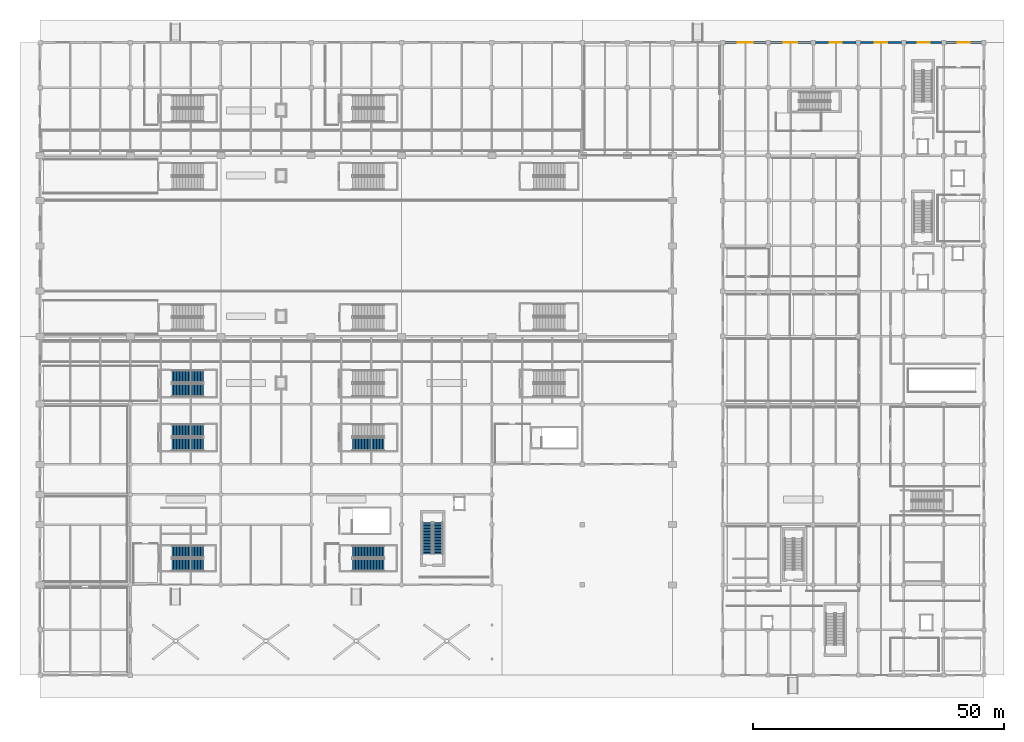
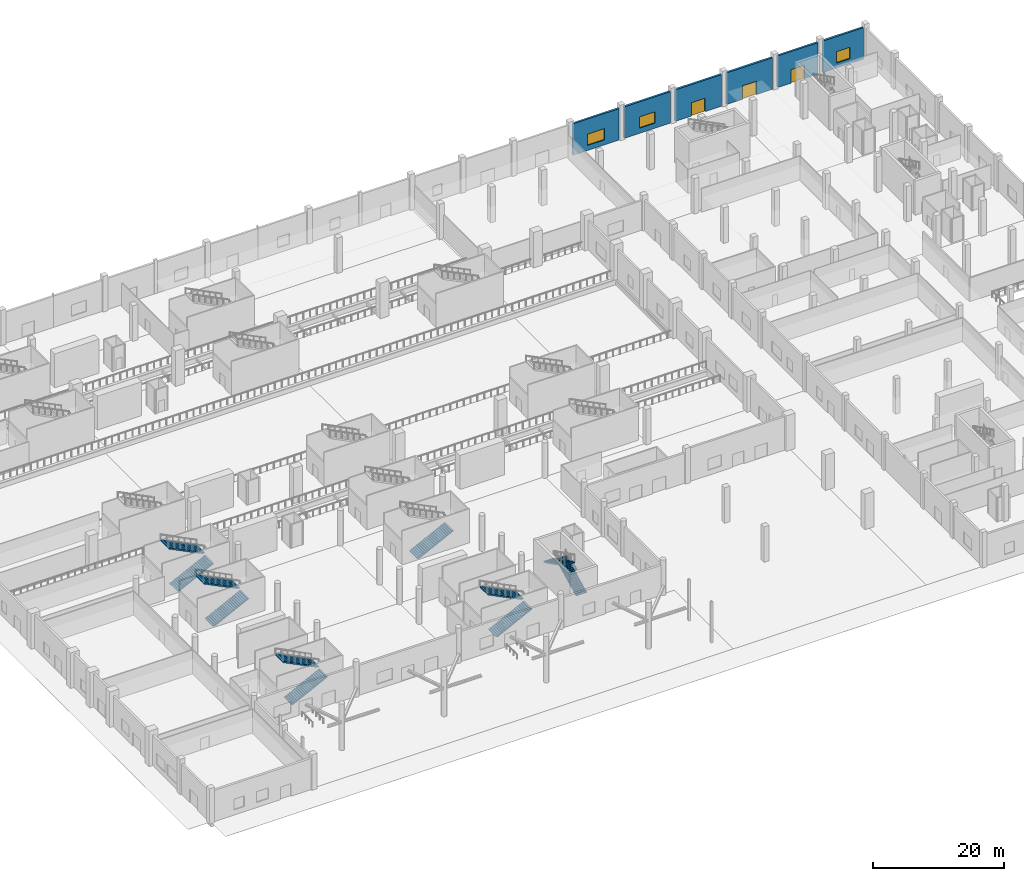
# One storey, part 29 of 65: 11 stair flights, 6 walls, 3 doors, 3 windows, 6 openings, 6 elements without a shape of their own.
"""IFC4 building model written with IfcOpenShell, lengths in metres."""

from ifc_helpers import new_model, si_unit, direction, frame, frame_2d, origin, place, context, subcontext, project, spatial, polyline, rectangle, outline, extrude, material, layer, layer_set, type_object, element, fill, aggregate, save


model = new_model("IFC4")

# Units and contexts
model_context = context("Model", 3, precision=1e-05, world=origin(), true_north=direction((0.0, 1.0)))
body_context = subcontext(model_context, "Body", "Model", "MODEL_VIEW")
ifc_project = project(units=[si_unit("LENGTHUNIT", "METRE"), si_unit("AREAUNIT", "SQUARE_METRE"), si_unit("VOLUMEUNIT", "CUBIC_METRE"), si_unit("PLANEANGLEUNIT", "RADIAN"), si_unit("MASSUNIT", "GRAM", prefix="KILO")], contexts=[model_context])

# Site, building, storey
site_placement = place(None, origin())
site = spatial("IfcSite", under=ifc_project, at=site_placement, CompositionType="ELEMENT")
building_placement = place(site_placement, origin())
building = spatial("IfcBuilding", under=site, at=building_placement, Name="Chuanluo Vaults Station", CompositionType="ELEMENT")
storey_placement = place(building_placement, origin())
storey = spatial("IfcBuildingStorey", under=building, at=storey_placement, Name="L00", CompositionType="ELEMENT", Elevation=0.0)

# Wall, opening, window
ifc_material_1 = material(Name="Concrete C50", Category="concrete")
ifc_layer = layer(ifc_material_1, 0.360107421875)
ifc_layer_set = layer_set([ifc_layer], Name="Concrete C50")
wall_type = type_object("IfcWallType", Name="WL-EXT-360", PredefinedType="SOLIDWALL", material=ifc_layer_set)
wall_1_placement = place(storey_placement, frame((136.449951171875, 126.0, 0.0), z_axis=(0.0, 0.0, 1.0), x_axis=(1.0, 0.0, 0.0)))
wall_1 = element("IfcWall", 1, at=wall_1_placement, inside=storey, type_object=wall_type, Name="Operations north streetwall 1", PredefinedType="SOLIDWALL", context=body_context, shape_type="SweptSolid", body=[
    extrude(rectangle(XDim=8.10009765625, YDim=0.360107421875, at=frame_2d((4.050048828125, 0.0))), origin(), (0.0, 0.0, 1.0), 5.85498046875),
])
opening_1_placement = place(wall_1_placement, frame((2.550048828125, 0.0, 0.949951171875)))
opening_1 = element("IfcOpeningElement", 2, at=opening_1_placement, cuts=wall_1, Name="Opening W-16", PredefinedType="OPENING", context=body_context, shape_type="SweptSolid", body=[
    extrude(rectangle(XDim=3.0, YDim=2.10009765625, at=frame_2d((1.5, 1.050048828125))), frame((0.0, 0.19018, 0.0), z_axis=(0.0, -1.0, 0.0), x_axis=(1.0, 0.0, 0.0)), (0.0, 0.0, 1.0), 0.38011),
])
ifc_material_2 = material(Name="Double-silver Low-E laminated glass", Category="glass")
window_type_1 = type_object("IfcWindowType", Name="WN-RET-3000x2100", PartitioningType="SINGLE_PANEL", PredefinedType="WINDOW", material=ifc_material_2)
window_1_placement = place(opening_1_placement, origin())
window_1 = element("IfcWindow", 3, at=window_1_placement, inside=storey, type_object=window_type_1, Name="W-061 Ground streetwall window", OverallHeight=2.10009765625, OverallWidth=3.0, PartitioningType="SINGLE_PANEL", PredefinedType="WINDOW", context=body_context, shape_type="SweptSolid", body=[
    extrude(rectangle(XDim=3.0, YDim=2.10009765625, at=frame_2d((1.5, 1.050048828125))), frame((0.0, 0.030029296875, 0.0), z_axis=(0.0, -1.0, 0.0), x_axis=(1.0, 0.0, 0.0)), (0.0, 0.0, 1.0), 0.06005859375),
])
fill(opening_1, window_1)

wall_2_placement = place(storey_placement, frame((145.449951171875, 126.0, 0.0), z_axis=(0.0, 0.0, 1.0), x_axis=(1.0, 0.0, 0.0)))
wall_2 = element("IfcWall", 4, at=wall_2_placement, inside=storey, type_object=wall_type, Name="Operations north streetwall 2", PredefinedType="SOLIDWALL", context=body_context, shape_type="SweptSolid", body=[
    extrude(rectangle(XDim=8.10009765625, YDim=0.360107421875, at=frame_2d((4.050048828125, 0.0))), origin(), (0.0, 0.0, 1.0), 5.85498046875),
])
opening_2_placement = place(wall_2_placement, frame((2.699951171875, 0.0, 0.949951171875)))
opening_2 = element("IfcOpeningElement", 5, at=opening_2_placement, cuts=wall_2, Name="Opening W-17", PredefinedType="OPENING", context=body_context, shape_type="SweptSolid", body=[
    extrude(rectangle(XDim=2.699951171875, YDim=2.10009765625, at=frame_2d((1.35009765625, 1.050048828125))), frame((0.0, 0.19018, 0.0), z_axis=(0.0, -1.0, 0.0), x_axis=(1.0, 0.0, 0.0)), (0.0, 0.0, 1.0), 0.38011),
])
ifc_material_3 = material(Name="Double-silver Low-E laminated glass", Category="glass")
window_type_2 = type_object("IfcWindowType", Name="WN-RET-2700x2100", PartitioningType="SINGLE_PANEL", PredefinedType="WINDOW", material=ifc_material_3)
window_2_placement = place(opening_2_placement, origin())
window_2 = element("IfcWindow", 6, at=window_2_placement, inside=storey, type_object=window_type_2, Name="W-062 Ground streetwall window", OverallHeight=2.10009765625, OverallWidth=2.699951171875, PartitioningType="SINGLE_PANEL", PredefinedType="WINDOW", context=body_context, shape_type="SweptSolid", body=[
    extrude(rectangle(XDim=2.699951171875, YDim=2.10009765625, at=frame_2d((1.35009765625, 1.050048828125))), frame((0.0, 0.030029296875, 0.0), z_axis=(0.0, -1.0, 0.0), x_axis=(1.0, 0.0, 0.0)), (0.0, 0.0, 1.0), 0.06005859375),
])
fill(opening_2, window_2)

# Wall, opening, door
wall_3_placement = place(storey_placement, frame((154.449951171875, 126.0, 0.0), z_axis=(0.0, 0.0, 1.0), x_axis=(1.0, 0.0, 0.0)))
wall_3 = element("IfcWall", 7, at=wall_3_placement, inside=storey, type_object=wall_type, Name="Operations north streetwall 3", PredefinedType="SOLIDWALL", context=body_context, shape_type="SweptSolid", body=[
    extrude(rectangle(XDim=8.10009765625, YDim=0.360107421875, at=frame_2d((4.050048828125, 0.0))), origin(), (0.0, 0.0, 1.0), 5.875),
])
opening_3_placement = place(wall_3_placement, frame((2.85009765625, 0.0, 0.0)))
opening_3 = element("IfcOpeningElement", 8, at=opening_3_placement, cuts=wall_3, Name="Opening D-E04", PredefinedType="OPENING", context=body_context, shape_type="SweptSolid", body=[
    extrude(rectangle(XDim=2.39990234375, YDim=2.5, at=frame_2d((1.199951171875, 1.25))), frame((0.0, 0.19018, 0.0), z_axis=(0.0, -1.0, 0.0), x_axis=(1.0, 0.0, 0.0)), (0.0, 0.0, 1.0), 0.38011),
])
ifc_material_4 = material(Name="Anodised aluminium 6063-T6", Category="aluminium")
door_type = type_object("IfcDoorType", Name="DR-EXT-2400x2500", OperationType="NOTDEFINED", PredefinedType="DOOR", material=ifc_material_4)
door_1_placement = place(opening_3_placement, origin())
door_1 = element("IfcDoor", 9, at=door_1_placement, inside=storey, type_object=door_type, Name="D-044 Operations north streetwall 3 exit door", OperationType="SINGLE_SWING_LEFT", OverallHeight=2.5, OverallWidth=2.39990234375, PredefinedType="DOOR", context=body_context, shape_type="SweptSolid", body=[
    extrude(rectangle(XDim=2.39990234375, YDim=2.5, at=frame_2d((1.199951171875, 1.25))), frame((0.0, 0.02490234375, 0.0), z_axis=(0.0, -1.0, 0.0), x_axis=(1.0, 0.0, 0.0)), (0.0, 0.0, 1.0), 0.050048828125),
])
fill(opening_3, door_1)

wall_4_placement = place(storey_placement, frame((163.449951171875, 126.0, 0.0), z_axis=(0.0, 0.0, 1.0), x_axis=(1.0, 0.0, 0.0)))
wall_4 = element("IfcWall", 10, at=wall_4_placement, inside=storey, type_object=wall_type, Name="Operations north streetwall 4", PredefinedType="SOLIDWALL", context=body_context, shape_type="SweptSolid", body=[
    extrude(rectangle(XDim=8.10009765625, YDim=0.360107421875, at=frame_2d((4.050048828125, 0.0))), origin(), (0.0, 0.0, 1.0), 5.875),
])
opening_4_placement = place(wall_4_placement, frame((2.85009765625, 0.0, 0.0)))
opening_4 = element("IfcOpeningElement", 11, at=opening_4_placement, cuts=wall_4, Name="Opening D-E04", PredefinedType="OPENING", context=body_context, shape_type="SweptSolid", body=[
    extrude(rectangle(XDim=2.39990234375, YDim=2.5, at=frame_2d((1.199951171875, 1.25))), frame((0.0, 0.19018, 0.0), z_axis=(0.0, -1.0, 0.0), x_axis=(1.0, 0.0, 0.0)), (0.0, 0.0, 1.0), 0.38011),
])
door_2_placement = place(opening_4_placement, origin())
door_2 = element("IfcDoor", 12, at=door_2_placement, inside=storey, type_object=door_type, Name="D-045 Operations north streetwall 4 exit door", OperationType="SINGLE_SWING_RIGHT", OverallHeight=2.5, OverallWidth=2.39990234375, PredefinedType="DOOR", context=body_context, shape_type="SweptSolid", body=[
    extrude(rectangle(XDim=2.39990234375, YDim=2.5, at=frame_2d((1.199951171875, 1.25))), frame((0.0, 0.02490234375, 0.0), z_axis=(0.0, -1.0, 0.0), x_axis=(1.0, 0.0, 0.0)), (0.0, 0.0, 1.0), 0.050048828125),
])
fill(opening_4, door_2)

wall_5_placement = place(storey_placement, frame((172.449951171875, 126.0, 0.0), z_axis=(0.0, 0.0, 1.0), x_axis=(1.0, 0.0, 0.0)))
wall_5 = element("IfcWall", 13, at=wall_5_placement, inside=storey, type_object=wall_type, Name="Operations north streetwall 5", PredefinedType="SOLIDWALL", context=body_context, shape_type="SweptSolid", body=[
    extrude(rectangle(XDim=7.10009765625, YDim=0.360107421875, at=frame_2d((3.550048828125, 0.0))), origin(), (0.0, 0.0, 1.0), 5.875),
])
opening_5_placement = place(wall_5_placement, frame((2.35009765625, 0.0, 0.0)))
opening_5 = element("IfcOpeningElement", 14, at=opening_5_placement, cuts=wall_5, Name="Opening D-E04", PredefinedType="OPENING", context=body_context, shape_type="SweptSolid", body=[
    extrude(rectangle(XDim=2.39990234375, YDim=2.5, at=frame_2d((1.199951171875, 1.25))), frame((0.0, 0.19018, 0.0), z_axis=(0.0, -1.0, 0.0), x_axis=(1.0, 0.0, 0.0)), (0.0, 0.0, 1.0), 0.38011),
])
door_3_placement = place(opening_5_placement, origin())
door_3 = element("IfcDoor", 15, at=door_3_placement, inside=storey, type_object=door_type, Name="D-046 Operations north streetwall 5 exit door", OperationType="SINGLE_SWING_LEFT", OverallHeight=2.5, OverallWidth=2.39990234375, PredefinedType="DOOR", context=body_context, shape_type="SweptSolid", body=[
    extrude(rectangle(XDim=2.39990234375, YDim=2.5, at=frame_2d((1.199951171875, 1.25))), frame((0.0, 0.02490234375, 0.0), z_axis=(0.0, -1.0, 0.0), x_axis=(1.0, 0.0, 0.0)), (0.0, 0.0, 1.0), 0.050048828125),
])
fill(opening_5, door_3)

# Wall, opening, window
wall_6_placement = place(storey_placement, frame((180.449951171875, 126.0, 0.0), z_axis=(0.0, 0.0, 1.0), x_axis=(1.0, 0.0, 0.0)))
wall_6 = element("IfcWall", 16, at=wall_6_placement, inside=storey, type_object=wall_type, Name="Operations north streetwall 6", PredefinedType="SOLIDWALL", context=body_context, shape_type="SweptSolid", body=[
    extrude(rectangle(XDim=7.10009765625, YDim=0.360107421875, at=frame_2d((3.550048828125, 0.0))), origin(), (0.0, 0.0, 1.0), 5.875),
])
opening_6_placement = place(wall_6_placement, frame((2.35009765625, 0.0, 0.949951171875)))
opening_6 = element("IfcOpeningElement", 17, at=opening_6_placement, cuts=wall_6, Name="Opening W-18", PredefinedType="OPENING", context=body_context, shape_type="SweptSolid", body=[
    extrude(rectangle(XDim=2.39990234375, YDim=2.10009765625, at=frame_2d((1.199951171875, 1.050048828125))), frame((0.0, 0.19018, 0.0), z_axis=(0.0, -1.0, 0.0), x_axis=(1.0, 0.0, 0.0)), (0.0, 0.0, 1.0), 0.38011),
])
ifc_material_5 = material(Name="Double-silver Low-E laminated glass", Category="glass")
window_type_3 = type_object("IfcWindowType", Name="WN-RET-2400x2100", PartitioningType="SINGLE_PANEL", PredefinedType="WINDOW", material=ifc_material_5)
window_3_placement = place(opening_6_placement, origin())
window_3 = element("IfcWindow", 18, at=window_3_placement, inside=storey, type_object=window_type_3, Name="W-063 Ground streetwall window", OverallHeight=2.10009765625, OverallWidth=2.39990234375, PartitioningType="SINGLE_PANEL", PredefinedType="WINDOW", context=body_context, shape_type="SweptSolid", body=[
    extrude(rectangle(XDim=2.39990234375, YDim=2.10009765625, at=frame_2d((1.199951171875, 1.050048828125))), frame((0.0, 0.030029296875, 0.0), z_axis=(0.0, -1.0, 0.0), x_axis=(1.0, 0.0, 0.0)), (0.0, 0.0, 1.0), 0.06005859375),
])
fill(opening_6, window_3)

# Stair, stair flights
ifc_material_6 = material(Name="Concrete C40", Category="concrete")
stair_type_1 = type_object("IfcStairType", Name="STR-TWO-1800", PredefinedType="HALF_TURN_STAIR", material=ifc_material_6)
stair_1_placement = place(storey_placement, origin())
stair_1 = element("IfcStair", 19, at=stair_1_placement, inside=storey, type_object=stair_type_1, Name="L00 ST-06", PredefinedType="HALF_TURN_STAIR")
ifc_material_7 = material(Name="Concrete C40", Category="concrete")
stair_flight_type_1 = type_object("IfcStairFlightType", Name="SFL-STR-1800", PredefinedType="STRAIGHT", material=ifc_material_7)
stair_flight_1_placement = place(storey_placement, frame((79.25, 24.125, 0.0), z_axis=(0.0, 0.0, 1.0), x_axis=(0.0, 1.0, 0.0)))
stair_flight_1 = element("IfcStairFlight", 20, at=stair_flight_1_placement, type_object=stair_flight_type_1, Name="ST-06 flight 1", NumberOfRisers=22, NumberOfTreads=21, PredefinedType="STRAIGHT", RiserHeight=0.15, TreadLength=0.3, context=body_context, shape_type="SweptSolid", body=[
    extrude(outline(polyline([(0.0, 0.0), (0.0, 0.14990234375), (0.300048828125, 0.14990234375), (0.300048828125, 0.300048828125), (0.60009765625, 0.300048828125), (0.60009765625, 0.449951171875), (0.89990234375, 0.449951171875), (0.89990234375, 0.60009765625), (1.199951171875, 0.60009765625), (1.199951171875, 0.75), (1.5, 0.75), (1.5, 0.89990234375), (1.800048828125, 0.89990234375), (1.800048828125, 1.050048828125), (2.10009765625, 1.050048828125), (2.10009765625, 1.199951171875), (2.39990234375, 1.199951171875), (2.39990234375, 1.35009765625), (2.699951171875, 1.35009765625), (2.699951171875, 1.5), (3.0, 1.5), (3.0, 1.64990234375), (3.300048828125, 1.64990234375), (3.300048828125, 1.800048828125), (3.60009765625, 1.800048828125), (3.60009765625, 1.949951171875), (3.89990234375, 1.949951171875), (3.89990234375, 2.10009765625), (4.199951171875, 2.10009765625), (4.199951171875, 2.25), (4.5, 2.25), (4.5, 2.39990234375), (4.800048828125, 2.39990234375), (4.800048828125, 2.550048828125), (5.10009765625, 2.550048828125), (5.10009765625, 2.699951171875), (5.39990234375, 2.699951171875), (5.39990234375, 2.85009765625), (5.699951171875, 2.85009765625), (5.699951171875, 3.0), (6.0, 3.0), (6.0, 3.14990234375), (6.300048828125, 3.14990234375), (6.300048828125, 3.300048828125), (6.300048828125, 2.94873046875), (0.40234375, 0.0), (0.0, 0.0)])), frame((0.0, 0.9375, 0.0), z_axis=(0.0, -1.0, 0.0), x_axis=(1.0, 0.0, 0.0)), (0.0, 0.0, 1.0), 1.875),
])
stair_flight_2_placement = place(storey_placement, frame((77.125, 30.425048828125, 3.300048828125), z_axis=(0.0, 0.0, 1.0), x_axis=(0.0, -1.0, 0.0)))
stair_flight_2 = element("IfcStairFlight", 21, at=stair_flight_2_placement, type_object=stair_flight_type_1, Name="ST-06 flight 2", NumberOfRisers=22, NumberOfTreads=21, PredefinedType="STRAIGHT", RiserHeight=0.15, TreadLength=0.3, context=body_context, shape_type="SweptSolid", body=[
    extrude(outline(polyline([(0.0, 0.0), (0.0, 0.14990234375), (0.300048828125, 0.14990234375), (0.300048828125, 0.300048828125), (0.60009765625, 0.300048828125), (0.60009765625, 0.449951171875), (0.89990234375, 0.449951171875), (0.89990234375, 0.60009765625), (1.199951171875, 0.60009765625), (1.199951171875, 0.75), (1.5, 0.75), (1.5, 0.89990234375), (1.800048828125, 0.89990234375), (1.800048828125, 1.050048828125), (2.10009765625, 1.050048828125), (2.10009765625, 1.199951171875), (2.39990234375, 1.199951171875), (2.39990234375, 1.35009765625), (2.699951171875, 1.35009765625), (2.699951171875, 1.5), (3.0, 1.5), (3.0, 1.64990234375), (3.300048828125, 1.64990234375), (3.300048828125, 1.800048828125), (3.60009765625, 1.800048828125), (3.60009765625, 1.949951171875), (3.89990234375, 1.949951171875), (3.89990234375, 2.10009765625), (4.199951171875, 2.10009765625), (4.199951171875, 2.25), (4.5, 2.25), (4.5, 2.39990234375), (4.800048828125, 2.39990234375), (4.800048828125, 2.550048828125), (5.10009765625, 2.550048828125), (5.10009765625, 2.699951171875), (5.39990234375, 2.699951171875), (5.39990234375, 2.85009765625), (5.699951171875, 2.85009765625), (5.699951171875, 3.0), (6.0, 3.0), (6.0, 3.14990234375), (6.300048828125, 3.14990234375), (6.300048828125, 3.300048828125), (6.300048828125, 2.94873046875), (0.40234375, 0.0), (0.0, 0.0)])), frame((0.0, 0.9375, 0.0), z_axis=(0.0, -1.0, 0.0), x_axis=(1.0, 0.0, 0.0)), (0.0, 0.0, 1.0), 1.875),
])
aggregate(stair_1, [stair_flight_1, stair_flight_2])

ifc_material_8 = material(Name="Concrete C40", Category="concrete")
stair_type_2 = type_object("IfcStairType", Name="STR-TWO-2400", PredefinedType="HALF_TURN_STAIR", material=ifc_material_8)
stair_2_placement = place(storey_placement, origin())
stair_2 = element("IfcStair", 22, at=stair_2_placement, inside=storey, type_object=stair_type_2, Name="L00 ST-18", PredefinedType="HALF_TURN_STAIR")
ifc_material_9 = material(Name="Concrete C40", Category="concrete")
stair_flight_type_2 = type_object("IfcStairFlightType", Name="SFL-STR-2400", PredefinedType="STRAIGHT", material=ifc_material_9)
stair_flight_3_placement = place(storey_placement, frame((26.25, 21.9375, 0.0), z_axis=(0.0, 0.0, 1.0), x_axis=(1.0, 0.0, 0.0)))
stair_flight_3 = element("IfcStairFlight", 23, at=stair_flight_3_placement, type_object=stair_flight_type_2, Name="ST-18 flight 1", NumberOfRisers=22, NumberOfTreads=21, PredefinedType="STRAIGHT", RiserHeight=0.15, TreadLength=0.3, context=body_context, shape_type="SweptSolid", body=[
    extrude(outline(polyline([(0.0, 0.0), (0.0, 0.14990234375), (0.300048828125, 0.14990234375), (0.300048828125, 0.300048828125), (0.60009765625, 0.300048828125), (0.60009765625, 0.449951171875), (0.89990234375, 0.449951171875), (0.89990234375, 0.60009765625), (1.199951171875, 0.60009765625), (1.199951171875, 0.75), (1.5, 0.75), (1.5, 0.89990234375), (1.800048828125, 0.89990234375), (1.800048828125, 1.050048828125), (2.10009765625, 1.050048828125), (2.10009765625, 1.199951171875), (2.39990234375, 1.199951171875), (2.39990234375, 1.35009765625), (2.699951171875, 1.35009765625), (2.699951171875, 1.5), (3.0, 1.5), (3.0, 1.64990234375), (3.300048828125, 1.64990234375), (3.300048828125, 1.800048828125), (3.60009765625, 1.800048828125), (3.60009765625, 1.949951171875), (3.89990234375, 1.949951171875), (3.89990234375, 2.10009765625), (4.199951171875, 2.10009765625), (4.199951171875, 2.25), (4.5, 2.25), (4.5, 2.39990234375), (4.800048828125, 2.39990234375), (4.800048828125, 2.550048828125), (5.10009765625, 2.550048828125), (5.10009765625, 2.699951171875), (5.39990234375, 2.699951171875), (5.39990234375, 2.85009765625), (5.699951171875, 2.85009765625), (5.699951171875, 3.0), (6.0, 3.0), (6.0, 3.14990234375), (6.300048828125, 3.14990234375), (6.300048828125, 3.300048828125), (6.300048828125, 2.94873046875), (0.40234375, 0.0), (0.0, 0.0)])), frame((0.0, 1.1875, 0.0), z_axis=(0.0, -1.0, 0.0), x_axis=(1.0, 0.0, 0.0)), (0.0, 0.0, 1.0), 2.375),
])
stair_flight_4_placement = place(storey_placement, frame((32.550048828125, 24.5625, 3.300048828125), z_axis=(0.0, 0.0, 1.0), x_axis=(-1.0, 0.0, 0.0)))
stair_flight_4 = element("IfcStairFlight", 24, at=stair_flight_4_placement, type_object=stair_flight_type_2, Name="ST-18 flight 2", NumberOfRisers=22, NumberOfTreads=21, PredefinedType="STRAIGHT", RiserHeight=0.15, TreadLength=0.3, context=body_context, shape_type="SweptSolid", body=[
    extrude(outline(polyline([(0.0, 0.0), (0.0, 0.14990234375), (0.300048828125, 0.14990234375), (0.300048828125, 0.300048828125), (0.60009765625, 0.300048828125), (0.60009765625, 0.449951171875), (0.89990234375, 0.449951171875), (0.89990234375, 0.60009765625), (1.199951171875, 0.60009765625), (1.199951171875, 0.75), (1.5, 0.75), (1.5, 0.89990234375), (1.800048828125, 0.89990234375), (1.800048828125, 1.050048828125), (2.10009765625, 1.050048828125), (2.10009765625, 1.199951171875), (2.39990234375, 1.199951171875), (2.39990234375, 1.35009765625), (2.699951171875, 1.35009765625), (2.699951171875, 1.5), (3.0, 1.5), (3.0, 1.64990234375), (3.300048828125, 1.64990234375), (3.300048828125, 1.800048828125), (3.60009765625, 1.800048828125), (3.60009765625, 1.949951171875), (3.89990234375, 1.949951171875), (3.89990234375, 2.10009765625), (4.199951171875, 2.10009765625), (4.199951171875, 2.25), (4.5, 2.25), (4.5, 2.39990234375), (4.800048828125, 2.39990234375), (4.800048828125, 2.550048828125), (5.10009765625, 2.550048828125), (5.10009765625, 2.699951171875), (5.39990234375, 2.699951171875), (5.39990234375, 2.85009765625), (5.699951171875, 2.85009765625), (5.699951171875, 3.0), (6.0, 3.0), (6.0, 3.14990234375), (6.300048828125, 3.14990234375), (6.300048828125, 3.300048828125), (6.300048828125, 2.94873046875), (0.40234375, 0.0), (0.0, 0.0)])), frame((0.0, 1.1875, 0.0), z_axis=(0.0, -1.0, 0.0), x_axis=(1.0, 0.0, 0.0)), (0.0, 0.0, 1.0), 2.375),
])
aggregate(stair_2, [stair_flight_3, stair_flight_4])

stair_3_placement = place(storey_placement, origin())
stair_3 = element("IfcStair", 25, at=stair_3_placement, inside=storey, type_object=stair_type_2, Name="L00 ST-19", PredefinedType="HALF_TURN_STAIR")
stair_flight_5_placement = place(storey_placement, frame((62.25, 21.9375, 0.0), z_axis=(0.0, 0.0, 1.0), x_axis=(1.0, 0.0, 0.0)))
stair_flight_5 = element("IfcStairFlight", 26, at=stair_flight_5_placement, type_object=stair_flight_type_2, Name="ST-19 flight 1", NumberOfRisers=22, NumberOfTreads=21, PredefinedType="STRAIGHT", RiserHeight=0.15, TreadLength=0.3, context=body_context, shape_type="SweptSolid", body=[
    extrude(outline(polyline([(0.0, 0.0), (0.0, 0.14990234375), (0.300048828125, 0.14990234375), (0.300048828125, 0.300048828125), (0.60009765625, 0.300048828125), (0.60009765625, 0.449951171875), (0.89990234375, 0.449951171875), (0.89990234375, 0.60009765625), (1.199951171875, 0.60009765625), (1.199951171875, 0.75), (1.5, 0.75), (1.5, 0.89990234375), (1.800048828125, 0.89990234375), (1.800048828125, 1.050048828125), (2.10009765625, 1.050048828125), (2.10009765625, 1.199951171875), (2.39990234375, 1.199951171875), (2.39990234375, 1.35009765625), (2.699951171875, 1.35009765625), (2.699951171875, 1.5), (3.0, 1.5), (3.0, 1.64990234375), (3.300048828125, 1.64990234375), (3.300048828125, 1.800048828125), (3.60009765625, 1.800048828125), (3.60009765625, 1.949951171875), (3.89990234375, 1.949951171875), (3.89990234375, 2.10009765625), (4.199951171875, 2.10009765625), (4.199951171875, 2.25), (4.5, 2.25), (4.5, 2.39990234375), (4.800048828125, 2.39990234375), (4.800048828125, 2.550048828125), (5.10009765625, 2.550048828125), (5.10009765625, 2.699951171875), (5.39990234375, 2.699951171875), (5.39990234375, 2.85009765625), (5.699951171875, 2.85009765625), (5.699951171875, 3.0), (6.0, 3.0), (6.0, 3.14990234375), (6.300048828125, 3.14990234375), (6.300048828125, 3.300048828125), (6.300048828125, 2.94873046875), (0.40234375, 0.0), (0.0, 0.0)])), frame((0.0, 1.1875, 0.0), z_axis=(0.0, -1.0, 0.0), x_axis=(1.0, 0.0, 0.0)), (0.0, 0.0, 1.0), 2.375),
])
stair_flight_6_placement = place(storey_placement, frame((68.550048828125, 24.5625, 3.300048828125), z_axis=(0.0, 0.0, 1.0), x_axis=(-1.0, 0.0, 0.0)))
stair_flight_6 = element("IfcStairFlight", 27, at=stair_flight_6_placement, type_object=stair_flight_type_2, Name="ST-19 flight 2", NumberOfRisers=22, NumberOfTreads=21, PredefinedType="STRAIGHT", RiserHeight=0.15, TreadLength=0.3, context=body_context, shape_type="SweptSolid", body=[
    extrude(outline(polyline([(0.0, 0.0), (0.0, 0.14990234375), (0.300048828125, 0.14990234375), (0.300048828125, 0.300048828125), (0.60009765625, 0.300048828125), (0.60009765625, 0.449951171875), (0.89990234375, 0.449951171875), (0.89990234375, 0.60009765625), (1.199951171875, 0.60009765625), (1.199951171875, 0.75), (1.5, 0.75), (1.5, 0.89990234375), (1.800048828125, 0.89990234375), (1.800048828125, 1.050048828125), (2.10009765625, 1.050048828125), (2.10009765625, 1.199951171875), (2.39990234375, 1.199951171875), (2.39990234375, 1.35009765625), (2.699951171875, 1.35009765625), (2.699951171875, 1.5), (3.0, 1.5), (3.0, 1.64990234375), (3.300048828125, 1.64990234375), (3.300048828125, 1.800048828125), (3.60009765625, 1.800048828125), (3.60009765625, 1.949951171875), (3.89990234375, 1.949951171875), (3.89990234375, 2.10009765625), (4.199951171875, 2.10009765625), (4.199951171875, 2.25), (4.5, 2.25), (4.5, 2.39990234375), (4.800048828125, 2.39990234375), (4.800048828125, 2.550048828125), (5.10009765625, 2.550048828125), (5.10009765625, 2.699951171875), (5.39990234375, 2.699951171875), (5.39990234375, 2.85009765625), (5.699951171875, 2.85009765625), (5.699951171875, 3.0), (6.0, 3.0), (6.0, 3.14990234375), (6.300048828125, 3.14990234375), (6.300048828125, 3.300048828125), (6.300048828125, 2.94873046875), (0.40234375, 0.0), (0.0, 0.0)])), frame((0.0, 1.1875, 0.0), z_axis=(0.0, -1.0, 0.0), x_axis=(1.0, 0.0, 0.0)), (0.0, 0.0, 1.0), 2.375),
])
aggregate(stair_3, [stair_flight_5, stair_flight_6])

ifc_material_10 = material(Name="Concrete C40", Category="concrete")
stair_type_3 = type_object("IfcStairType", Name="STR-TWO-2500", PredefinedType="HALF_TURN_STAIR", material=ifc_material_10)
stair_4_placement = place(storey_placement, origin())
stair_4 = element("IfcStair", 28, at=stair_4_placement, inside=storey, type_object=stair_type_3, Name="L00 ST-07", PredefinedType="HALF_TURN_STAIR")
ifc_material_11 = material(Name="Concrete C40", Category="concrete")
stair_flight_type_3 = type_object("IfcStairFlightType", Name="SFL-STR-2500", PredefinedType="STRAIGHT", material=ifc_material_11)
stair_flight_7_placement = place(storey_placement, frame((26.25, 56.75, 0.0), z_axis=(0.0, 0.0, 1.0), x_axis=(1.0, 0.0, 0.0)))
stair_flight_7 = element("IfcStairFlight", 29, at=stair_flight_7_placement, type_object=stair_flight_type_3, Name="ST-07 flight 1", NumberOfRisers=22, NumberOfTreads=21, PredefinedType="STRAIGHT", RiserHeight=0.15, TreadLength=0.3, context=body_context, shape_type="SweptSolid", body=[
    extrude(outline(polyline([(0.0, 0.0), (0.0, 0.14990234375), (0.300048828125, 0.14990234375), (0.300048828125, 0.300048828125), (0.60009765625, 0.300048828125), (0.60009765625, 0.449951171875), (0.89990234375, 0.449951171875), (0.89990234375, 0.60009765625), (1.199951171875, 0.60009765625), (1.199951171875, 0.75), (1.5, 0.75), (1.5, 0.89990234375), (1.800048828125, 0.89990234375), (1.800048828125, 1.050048828125), (2.10009765625, 1.050048828125), (2.10009765625, 1.199951171875), (2.39990234375, 1.199951171875), (2.39990234375, 1.35009765625), (2.699951171875, 1.35009765625), (2.699951171875, 1.5), (3.0, 1.5), (3.0, 1.64990234375), (3.300048828125, 1.64990234375), (3.300048828125, 1.800048828125), (3.60009765625, 1.800048828125), (3.60009765625, 1.949951171875), (3.89990234375, 1.949951171875), (3.89990234375, 2.10009765625), (4.199951171875, 2.10009765625), (4.199951171875, 2.25), (4.5, 2.25), (4.5, 2.39990234375), (4.800048828125, 2.39990234375), (4.800048828125, 2.550048828125), (5.10009765625, 2.550048828125), (5.10009765625, 2.699951171875), (5.39990234375, 2.699951171875), (5.39990234375, 2.85009765625), (5.699951171875, 2.85009765625), (5.699951171875, 3.0), (6.0, 3.0), (6.0, 3.14990234375), (6.300048828125, 3.14990234375), (6.300048828125, 3.300048828125), (6.300048828125, 2.94873046875), (0.40234375, 0.0), (0.0, 0.0)])), frame((0.0, 1.25, 0.0), z_axis=(0.0, -1.0, 0.0), x_axis=(1.0, 0.0, 0.0)), (0.0, 0.0, 1.0), 2.5),
])
stair_flight_8_placement = place(storey_placement, frame((32.550048828125, 59.5, 3.300048828125), z_axis=(0.0, 0.0, 1.0), x_axis=(-1.0, 0.0, 0.0)))
stair_flight_8 = element("IfcStairFlight", 30, at=stair_flight_8_placement, type_object=stair_flight_type_3, Name="ST-07 flight 2", NumberOfRisers=22, NumberOfTreads=21, PredefinedType="STRAIGHT", RiserHeight=0.15, TreadLength=0.3, context=body_context, shape_type="SweptSolid", body=[
    extrude(outline(polyline([(0.0, 0.0), (0.0, 0.14990234375), (0.300048828125, 0.14990234375), (0.300048828125, 0.300048828125), (0.60009765625, 0.300048828125), (0.60009765625, 0.449951171875), (0.89990234375, 0.449951171875), (0.89990234375, 0.60009765625), (1.199951171875, 0.60009765625), (1.199951171875, 0.75), (1.5, 0.75), (1.5, 0.89990234375), (1.800048828125, 0.89990234375), (1.800048828125, 1.050048828125), (2.10009765625, 1.050048828125), (2.10009765625, 1.199951171875), (2.39990234375, 1.199951171875), (2.39990234375, 1.35009765625), (2.699951171875, 1.35009765625), (2.699951171875, 1.5), (3.0, 1.5), (3.0, 1.64990234375), (3.300048828125, 1.64990234375), (3.300048828125, 1.800048828125), (3.60009765625, 1.800048828125), (3.60009765625, 1.949951171875), (3.89990234375, 1.949951171875), (3.89990234375, 2.10009765625), (4.199951171875, 2.10009765625), (4.199951171875, 2.25), (4.5, 2.25), (4.5, 2.39990234375), (4.800048828125, 2.39990234375), (4.800048828125, 2.550048828125), (5.10009765625, 2.550048828125), (5.10009765625, 2.699951171875), (5.39990234375, 2.699951171875), (5.39990234375, 2.85009765625), (5.699951171875, 2.85009765625), (5.699951171875, 3.0), (6.0, 3.0), (6.0, 3.14990234375), (6.300048828125, 3.14990234375), (6.300048828125, 3.300048828125), (6.300048828125, 2.94873046875), (0.40234375, 0.0), (0.0, 0.0)])), frame((0.0, 1.25, 0.0), z_axis=(0.0, -1.0, 0.0), x_axis=(1.0, 0.0, 0.0)), (0.0, 0.0, 1.0), 2.5),
])
aggregate(stair_4, [stair_flight_7, stair_flight_8])

stair_5_placement = place(storey_placement, origin())
stair_5 = element("IfcStair", 31, at=stair_5_placement, inside=storey, type_object=stair_type_3, Name="L00 ST-20", PredefinedType="HALF_TURN_STAIR")
stair_flight_9_placement = place(storey_placement, frame((26.25, 46.0, 0.0), z_axis=(0.0, 0.0, 1.0), x_axis=(1.0, 0.0, 0.0)))
stair_flight_9 = element("IfcStairFlight", 32, at=stair_flight_9_placement, type_object=stair_flight_type_3, Name="ST-20 flight 1", NumberOfRisers=22, NumberOfTreads=21, PredefinedType="STRAIGHT", RiserHeight=0.15, TreadLength=0.3, context=body_context, shape_type="SweptSolid", body=[
    extrude(outline(polyline([(0.0, 0.0), (0.0, 0.14990234375), (0.300048828125, 0.14990234375), (0.300048828125, 0.300048828125), (0.60009765625, 0.300048828125), (0.60009765625, 0.449951171875), (0.89990234375, 0.449951171875), (0.89990234375, 0.60009765625), (1.199951171875, 0.60009765625), (1.199951171875, 0.75), (1.5, 0.75), (1.5, 0.89990234375), (1.800048828125, 0.89990234375), (1.800048828125, 1.050048828125), (2.10009765625, 1.050048828125), (2.10009765625, 1.199951171875), (2.39990234375, 1.199951171875), (2.39990234375, 1.35009765625), (2.699951171875, 1.35009765625), (2.699951171875, 1.5), (3.0, 1.5), (3.0, 1.64990234375), (3.300048828125, 1.64990234375), (3.300048828125, 1.800048828125), (3.60009765625, 1.800048828125), (3.60009765625, 1.949951171875), (3.89990234375, 1.949951171875), (3.89990234375, 2.10009765625), (4.199951171875, 2.10009765625), (4.199951171875, 2.25), (4.5, 2.25), (4.5, 2.39990234375), (4.800048828125, 2.39990234375), (4.800048828125, 2.550048828125), (5.10009765625, 2.550048828125), (5.10009765625, 2.699951171875), (5.39990234375, 2.699951171875), (5.39990234375, 2.85009765625), (5.699951171875, 2.85009765625), (5.699951171875, 3.0), (6.0, 3.0), (6.0, 3.14990234375), (6.300048828125, 3.14990234375), (6.300048828125, 3.300048828125), (6.300048828125, 2.94873046875), (0.40234375, 0.0), (0.0, 0.0)])), frame((0.0, 1.25, 0.0), z_axis=(0.0, -1.0, 0.0), x_axis=(1.0, 0.0, 0.0)), (0.0, 0.0, 1.0), 2.5),
])
stair_flight_10_placement = place(storey_placement, frame((32.550048828125, 48.75, 3.300048828125), z_axis=(0.0, 0.0, 1.0), x_axis=(-1.0, 0.0, 0.0)))
stair_flight_10 = element("IfcStairFlight", 33, at=stair_flight_10_placement, type_object=stair_flight_type_3, Name="ST-20 flight 2", NumberOfRisers=22, NumberOfTreads=21, PredefinedType="STRAIGHT", RiserHeight=0.15, TreadLength=0.3, context=body_context, shape_type="SweptSolid", body=[
    extrude(outline(polyline([(0.0, 0.0), (0.0, 0.14990234375), (0.300048828125, 0.14990234375), (0.300048828125, 0.300048828125), (0.60009765625, 0.300048828125), (0.60009765625, 0.449951171875), (0.89990234375, 0.449951171875), (0.89990234375, 0.60009765625), (1.199951171875, 0.60009765625), (1.199951171875, 0.75), (1.5, 0.75), (1.5, 0.89990234375), (1.800048828125, 0.89990234375), (1.800048828125, 1.050048828125), (2.10009765625, 1.050048828125), (2.10009765625, 1.199951171875), (2.39990234375, 1.199951171875), (2.39990234375, 1.35009765625), (2.699951171875, 1.35009765625), (2.699951171875, 1.5), (3.0, 1.5), (3.0, 1.64990234375), (3.300048828125, 1.64990234375), (3.300048828125, 1.800048828125), (3.60009765625, 1.800048828125), (3.60009765625, 1.949951171875), (3.89990234375, 1.949951171875), (3.89990234375, 2.10009765625), (4.199951171875, 2.10009765625), (4.199951171875, 2.25), (4.5, 2.25), (4.5, 2.39990234375), (4.800048828125, 2.39990234375), (4.800048828125, 2.550048828125), (5.10009765625, 2.550048828125), (5.10009765625, 2.699951171875), (5.39990234375, 2.699951171875), (5.39990234375, 2.85009765625), (5.699951171875, 2.85009765625), (5.699951171875, 3.0), (6.0, 3.0), (6.0, 3.14990234375), (6.300048828125, 3.14990234375), (6.300048828125, 3.300048828125), (6.300048828125, 2.94873046875), (0.40234375, 0.0), (0.0, 0.0)])), frame((0.0, 1.25, 0.0), z_axis=(0.0, -1.0, 0.0), x_axis=(1.0, 0.0, 0.0)), (0.0, 0.0, 1.0), 2.5),
])
aggregate(stair_5, [stair_flight_9, stair_flight_10])

# Stair, stair flight
stair_6_placement = place(storey_placement, origin())
stair_6 = element("IfcStair", 34, at=stair_6_placement, inside=storey, type_object=stair_type_3, Name="L00 ST-21", PredefinedType="HALF_TURN_STAIR")
stair_flight_11_placement = place(storey_placement, frame((62.25, 46.0, 0.0), z_axis=(0.0, 0.0, 1.0), x_axis=(1.0, 0.0, 0.0)))
stair_flight_11 = element("IfcStairFlight", 35, at=stair_flight_11_placement, type_object=stair_flight_type_3, Name="ST-21 flight 1", NumberOfRisers=22, NumberOfTreads=21, PredefinedType="STRAIGHT", RiserHeight=0.15, TreadLength=0.3, context=body_context, shape_type="SweptSolid", body=[
    extrude(outline(polyline([(0.0, 0.0), (0.0, 0.14990234375), (0.300048828125, 0.14990234375), (0.300048828125, 0.300048828125), (0.60009765625, 0.300048828125), (0.60009765625, 0.449951171875), (0.89990234375, 0.449951171875), (0.89990234375, 0.60009765625), (1.199951171875, 0.60009765625), (1.199951171875, 0.75), (1.5, 0.75), (1.5, 0.89990234375), (1.800048828125, 0.89990234375), (1.800048828125, 1.050048828125), (2.10009765625, 1.050048828125), (2.10009765625, 1.199951171875), (2.39990234375, 1.199951171875), (2.39990234375, 1.35009765625), (2.699951171875, 1.35009765625), (2.699951171875, 1.5), (3.0, 1.5), (3.0, 1.64990234375), (3.300048828125, 1.64990234375), (3.300048828125, 1.800048828125), (3.60009765625, 1.800048828125), (3.60009765625, 1.949951171875), (3.89990234375, 1.949951171875), (3.89990234375, 2.10009765625), (4.199951171875, 2.10009765625), (4.199951171875, 2.25), (4.5, 2.25), (4.5, 2.39990234375), (4.800048828125, 2.39990234375), (4.800048828125, 2.550048828125), (5.10009765625, 2.550048828125), (5.10009765625, 2.699951171875), (5.39990234375, 2.699951171875), (5.39990234375, 2.85009765625), (5.699951171875, 2.85009765625), (5.699951171875, 3.0), (6.0, 3.0), (6.0, 3.14990234375), (6.300048828125, 3.14990234375), (6.300048828125, 3.300048828125), (6.300048828125, 2.94873046875), (0.40234375, 0.0), (0.0, 0.0)])), frame((0.0, 1.25, 0.0), z_axis=(0.0, -1.0, 0.0), x_axis=(1.0, 0.0, 0.0)), (0.0, 0.0, 1.0), 2.5),
])
aggregate(stair_6, [stair_flight_11])

save(model, "model.ifc")
